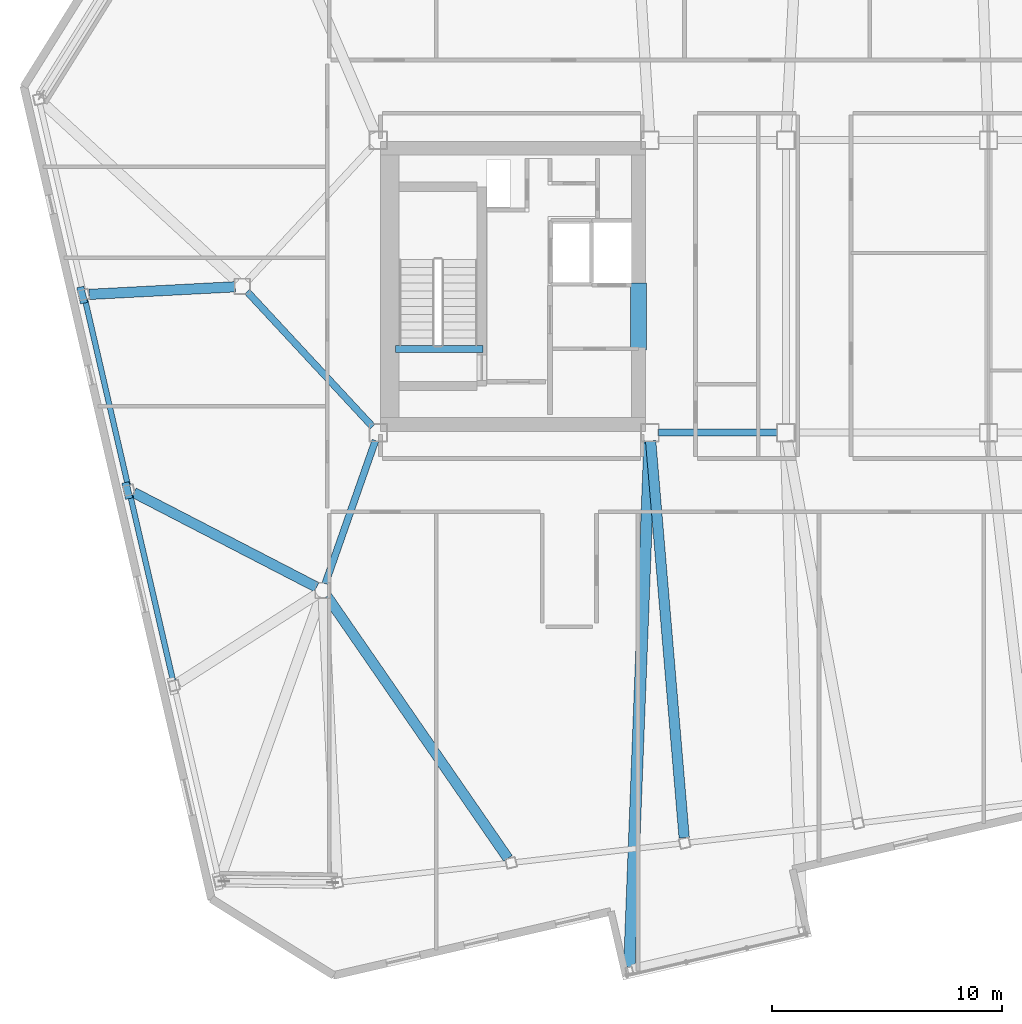
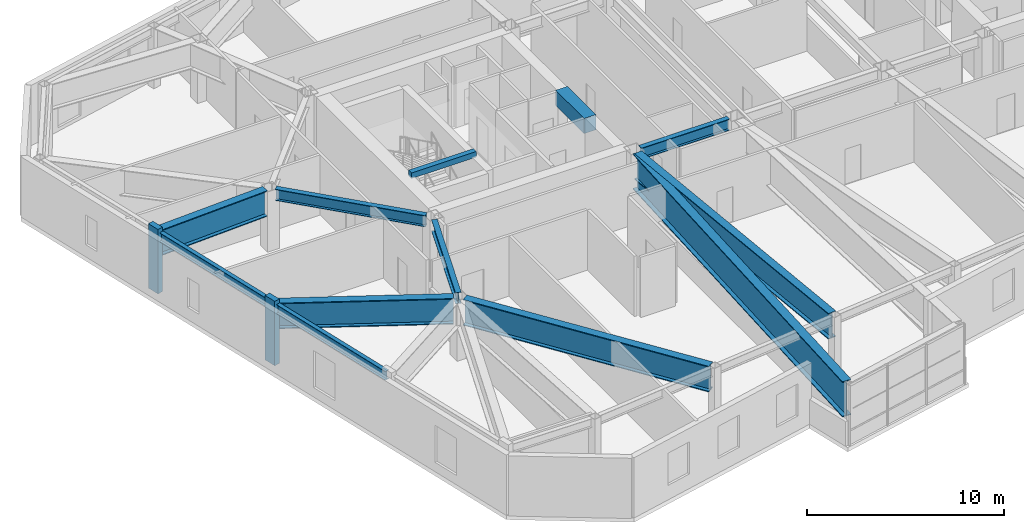
# One storey, part 7 of 23: 12 beams, 2 members.
"""IFC4 building model written with IfcOpenShell, lengths in metres."""

from ifc_helpers import new_model, si_unit, direction, frame, origin, origin_2d, place, context, subcontext, project, spatial, rectangle, i_section, extrude, material, material_profile, profile_set, type_object, element, save


model = new_model("IFC4")

# Units and contexts
model_context = context("Model", 3, precision=1e-05, world=origin(), true_north=direction((0.0, 1.0)))
body_context = subcontext(model_context, "Body", "Model", "MODEL_VIEW")
ifc_project = project(units=[si_unit("LENGTHUNIT", "METRE"), si_unit("AREAUNIT", "SQUARE_METRE"), si_unit("VOLUMEUNIT", "CUBIC_METRE"), si_unit("PLANEANGLEUNIT", "RADIAN"), si_unit("MASSUNIT", "GRAM", prefix="KILO")], contexts=[model_context])

# Site, building, storey
site_placement = place(None, origin())
site = spatial("IfcSite", under=ifc_project, at=site_placement, CompositionType="ELEMENT")
building_placement = place(site_placement, origin())
building = spatial("IfcBuilding", under=site, at=building_placement, Name="Tavrogorsk Clinical Tower", CompositionType="ELEMENT")
storey_placement = place(building_placement, frame((0.0, 0.0, 277.0)))
storey = spatial("IfcBuildingStorey", under=building, at=storey_placement, Name="L64", CompositionType="ELEMENT", Elevation=277.0)

# Beam
ifc_material_1 = material(Name="Concrete B80", Category="concrete")
ifc_material_profile_1 = material_profile(ifc_material_1, rectangle(XDim=0.699951171875, YDim=0.949951171875, at=origin_2d()), Name="RC-CB-700x950")
ifc_profile_set_1 = profile_set([ifc_material_profile_1], Name="Concrete B80")
beam_type_1 = type_object("IfcBeamType", Name="CouplingBeam_RC700x950", PredefinedType="LINTEL", material=ifc_profile_set_1)
beam_1_placement = place(storey_placement, frame((-10.800048828125, -2.75, 3.264892578125), z_axis=(0.0, 1.0, 0.0), x_axis=(-1.0, 0.0, 0.0)))
element("IfcBeam", 1, at=beam_1_placement, inside=storey, type_object=beam_type_1, Name="L64 Core West Coupling Beam", PredefinedType="LINTEL", context=body_context, shape_type="SweptSolid", body=[
    extrude(rectangle(XDim=0.699951171875, YDim=0.949951171875, at=origin_2d()), origin(), (0.0, 0.0, 1.0), 2.89990234375),
])

# Members
ifc_material_2 = material(Name="Precast concrete B45 with limestone cladding", Category="masonry")
ifc_material_profile_2 = material_profile(ifc_material_2, rectangle(XDim=0.320068359375, YDim=0.719970703125, at=origin_2d()), Name="LIMESTONE-FIN-320x720")
ifc_profile_set_2 = profile_set([ifc_material_profile_2], Name="Precast concrete B45 with limestone cladding")
member_type = type_object("IfcMemberType", Name="LimestonePleatFin_320x720", PredefinedType="USERDEFINED", material=ifc_profile_set_2)
for number, where, z_axis, x_axis, name in (
    (2, (-34.95458984375, -0.376708984375, 0.0), (0.0, 0.0, 1.0), (0.974370064785, 0.224951054344, 0.0), "L64 W Pleated Stone Fin 1"),
    (3, (-32.995361328125, -8.863525390625, 0.0), (0.0, 0.0, 1.0), (0.974370064785, 0.224951054344, 0.0), "L64 W Pleated Stone Fin 2"),
):
    element("IfcMember", number, at=place(storey_placement, frame(where, z_axis=z_axis, x_axis=x_axis)), inside=storey, type_object=member_type, Name=name, ObjectType="FIN", PredefinedType="USERDEFINED", context=body_context, shape_type="SweptSolid", body=[
        extrude(rectangle(XDim=0.320068359375, YDim=0.719970703125, at=origin_2d()), origin(), (0.0, 0.0, 1.0), 4.0),
    ])

# Beams
ifc_material_3 = material(Name="Structural steel S390", Category="steel")
ifc_material_profile_3 = material_profile(ifc_material_3, i_section(OverallWidth=0.300048828125, OverallDepth=0.699951171875, WebThickness=0.01708984375, FlangeThickness=0.028076171875, at=origin_2d()), Name="B-700x300x17x28")
ifc_profile_set_3 = profile_set([ifc_material_profile_3], Name="Structural steel S390")
beam_type_2 = type_object("IfcBeamType", Name="PrimaryGirder_B700", PredefinedType="USERDEFINED", material=ifc_profile_set_3)
beam_2_placement = place(storey_placement, frame((-9.93994140625, -6.35009765625, 3.389892578125), z_axis=(1.0, 0.0, 0.0), x_axis=(0.0, 1.0, 0.0)))
element("IfcBeam", 4, at=beam_2_placement, inside=storey, type_object=beam_type_2, Name="L64 Primary Spine Girder MG-01", ObjectType="GIRDER", PredefinedType="USERDEFINED", context=body_context, shape_type="SweptSolid", body=[
    extrude(i_section(OverallWidth=0.300048828125, OverallDepth=0.699951171875, WebThickness=0.01708984375, FlangeThickness=0.028076171875, at=origin_2d()), origin(), (0.0, 0.0, 1.0), 5.179931640625),
])
beam_3_placement = place(storey_placement, frame((-24.3974609375, -12.907470703125, 3.389892578125), z_axis=(0.330654121425, 0.943752007672, 0.0), x_axis=(-0.943752007672, 0.330654121425, 0.0)))
element("IfcBeam", 5, at=beam_3_placement, inside=storey, type_object=beam_type_2, Name="L64 Spine Link Girder OPG-1", ObjectType="GIRDER", PredefinedType="USERDEFINED", context=body_context, shape_type="SweptSolid", body=[
    extrude(i_section(OverallWidth=0.300048828125, OverallDepth=0.699951171875, WebThickness=0.01708984375, FlangeThickness=0.028076171875, at=origin_2d()), origin(), (0.0, 0.0, 1.0), 6.58837890625),
])
beam_4_placement = place(storey_placement, frame((-27.7890625, -0.22705078125, 3.389892578125), z_axis=(0.680684060959, -0.732577101168, 0.0), x_axis=(0.732577101168, 0.680684060959, 0.0)))
element("IfcBeam", 6, at=beam_4_placement, inside=storey, type_object=beam_type_2, Name="L64 Spine Link Girder OPG-5", ObjectType="GIRDER", PredefinedType="USERDEFINED", context=body_context, shape_type="SweptSolid", body=[
    extrude(i_section(OverallWidth=0.300048828125, OverallDepth=0.699951171875, WebThickness=0.01708984375, FlangeThickness=0.028076171875, at=origin_2d()), origin(), (0.0, 0.0, 1.0), 7.998046875),
])
ifc_material_4 = material(Name="Structural steel S390", Category="steel")
ifc_material_profile_4 = material_profile(ifc_material_4, i_section(OverallWidth=0.239990234375, OverallDepth=0.550048828125, WebThickness=0.013916015625, FlangeThickness=0.02197265625, at=origin_2d()), Name="B-550x240x14x22")
ifc_profile_set_4 = profile_set([ifc_material_profile_4], Name="Structural steel S390")
beam_type_3 = type_object("IfcBeamType", Name="SpandrelBeam_B550", PredefinedType="SPANDREL", material=ifc_profile_set_4)
beam_5_placement = place(storey_placement, frame((-34.82421875, -0.585693359375, 3.465087890625), z_axis=(0.224950345141, -0.974370228517, 0.0), x_axis=(0.974370228517, 0.224950345141, 0.0)))
element("IfcBeam", 7, at=beam_5_placement, inside=storey, type_object=beam_type_3, Name="L64 Perimeter Spandrel W2-W3", PredefinedType="SPANDREL", context=body_context, shape_type="SweptSolid", body=[
    extrude(i_section(OverallWidth=0.239990234375, OverallDepth=0.550048828125, WebThickness=0.013916015625, FlangeThickness=0.02197265625, at=origin_2d()), origin(), (0.0, 0.0, 1.0), 8.243896484375),
])
beam_6_placement = place(storey_placement, frame((-32.864990234375, -9.072509765625, 3.465087890625), z_axis=(0.224978460613, -0.974363737144, 0.0), x_axis=(0.974363737144, 0.224978460613, 0.0)))
element("IfcBeam", 8, at=beam_6_placement, inside=storey, type_object=beam_type_3, Name="L64 Perimeter Spandrel W3-W4", PredefinedType="SPANDREL", context=body_context, shape_type="SweptSolid", body=[
    extrude(i_section(OverallWidth=0.239990234375, OverallDepth=0.550048828125, WebThickness=0.013916015625, FlangeThickness=0.02197265625, at=origin_2d()), origin(), (0.0, 0.0, 1.0), 8.244140625),
])
ifc_material_5 = material(Name="Concrete B60", Category="concrete")
ifc_material_profile_5 = material_profile(ifc_material_5, rectangle(XDim=0.300048828125, YDim=0.35009765625, at=origin_2d()), Name="RC-SHB-300x350")
ifc_profile_set_5 = profile_set([ifc_material_profile_5], Name="Concrete B60")
beam_type_4 = type_object("IfcBeamType", Name="StairHeaderBeam_RC300x350", PredefinedType="BEAM", material=ifc_profile_set_5)
beam_7_placement = place(storey_placement, frame((-21.35009765625, -2.719970703125, 3.824951171875), z_axis=(1.0, 0.0, 0.0), x_axis=(0.0, 1.0, 0.0)))
element("IfcBeam", 9, at=beam_7_placement, inside=storey, type_object=beam_type_4, Name="L65 ST-W Landing Header Beam", PredefinedType="BEAM", context=body_context, shape_type="SweptSolid", body=[
    extrude(rectangle(XDim=0.300048828125, YDim=0.35009765625, at=origin_2d()), origin(), (0.0, 0.0, 1.0), 3.800048828125),
])
ifc_material_6 = material(Name="Structural steel S440", Category="steel")
ifc_material_profile_6 = material_profile(ifc_material_6, i_section(OverallWidth=0.449951171875, OverallDepth=1.60009765625, WebThickness=0.031982421875, FlangeThickness=0.050048828125, at=origin_2d()), Name="DK-1600x450x32x50")
ifc_profile_set_6 = profile_set([ifc_material_profile_6], Name="Structural steel S440")
beam_type_5 = type_object("IfcBeamType", Name="TransferGirder_DK1600", PredefinedType="USERDEFINED", material=ifc_profile_set_6)
beam_8_placement = place(storey_placement, frame((-24.32373046875, -13.455078125, 2.93994140625), z_axis=(0.568335848504, -0.82279667191, 0.0), x_axis=(0.82279667191, 0.568335848504, 0.0)))
element("IfcBeam", 10, at=beam_8_placement, inside=storey, type_object=beam_type_5, Name="L64 Radial Floor Beam S2", ObjectType="GIRDER", PredefinedType="USERDEFINED", context=body_context, shape_type="SweptSolid", body=[
    extrude(i_section(OverallWidth=0.449951171875, OverallDepth=1.60009765625, WebThickness=0.031982421875, FlangeThickness=0.050048828125, at=origin_2d()), origin(), (0.0, 0.0, 1.0), 13.831298828125),
])
beam_9_placement = place(storey_placement, frame((-10.269775390625, -6.708740234375, 2.93994140625), z_axis=(0.084218746676, -0.996447290482, 0.0), x_axis=(0.996447290482, 0.084218746676, 0.0)))
element("IfcBeam", 11, at=beam_9_placement, inside=storey, type_object=beam_type_5, Name="L64 Radial Floor Beam S3", ObjectType="GIRDER", PredefinedType="USERDEFINED", context=body_context, shape_type="SweptSolid", body=[
    extrude(i_section(OverallWidth=0.449951171875, OverallDepth=1.60009765625, WebThickness=0.031982421875, FlangeThickness=0.050048828125, at=origin_2d()), origin(), (0.0, 0.0, 1.0), 17.2890625),
])
beam_10_placement = place(storey_placement, frame((-28.3095703125, -0.01611328125, 2.93994140625), z_axis=(-0.99864101713, -0.052116397656, 0.0), x_axis=(0.052116397656, -0.99864101713, 0.0)))
element("IfcBeam", 12, at=beam_10_placement, inside=storey, type_object=beam_type_5, Name="L64 Radial Floor Beam W2", ObjectType="GIRDER", PredefinedType="USERDEFINED", context=body_context, shape_type="SweptSolid", body=[
    extrude(i_section(OverallWidth=0.449951171875, OverallDepth=1.60009765625, WebThickness=0.031982421875, FlangeThickness=0.050048828125, at=origin_2d()), origin(), (0.0, 0.0, 1.0), 6.3427734375),
])
beam_11_placement = place(storey_placement, frame((-24.775390625, -13.0576171875, 2.93994140625), z_axis=(-0.888188417157, 0.459479418069, 0.0), x_axis=(-0.459479418069, -0.888188417157, 0.0)))
element("IfcBeam", 13, at=beam_11_placement, inside=storey, type_object=beam_type_5, Name="L64 Radial Floor Beam W3", ObjectType="GIRDER", PredefinedType="USERDEFINED", context=body_context, shape_type="SweptSolid", body=[
    extrude(i_section(OverallWidth=0.449951171875, OverallDepth=1.60009765625, WebThickness=0.031982421875, FlangeThickness=0.050048828125, at=origin_2d()), origin(), (0.0, 0.0, 1.0), 8.93408203125),
])
ifc_material_7 = material(Name="Structural steel S440", Category="steel")
ifc_material_profile_7 = material_profile(ifc_material_7, i_section(OverallWidth=0.5, OverallDepth=2.199951171875, WebThickness=0.035888671875, FlangeThickness=0.054931640625, at=origin_2d()), Name="DK-2200x500x36x55")
ifc_profile_set_7 = profile_set([ifc_material_profile_7], Name="Structural steel S440")
beam_type_6 = type_object("IfcBeamType", Name="TransferGirder_DK2200", PredefinedType="USERDEFINED", material=ifc_profile_set_7)
beam_12_placement = place(storey_placement, frame((-10.31396484375, -6.709716796875, 2.639892578125), z_axis=(-0.038550826334, -0.999256640603, 0.0), x_axis=(0.999256640603, -0.038550826334, 0.0)))
element("IfcBeam", 14, at=beam_12_placement, inside=storey, type_object=beam_type_6, Name="L64 Day-Room Cantilever Beam DRB-09-L", ObjectType="GIRDER", PredefinedType="USERDEFINED", context=body_context, shape_type="SweptSolid", body=[
    extrude(i_section(OverallWidth=0.5, OverallDepth=2.199951171875, WebThickness=0.035888671875, FlangeThickness=0.054931640625, at=origin_2d()), origin(), (0.0, 0.0, 1.0), 22.862060546875),
])

save(model, "model.ifc")
